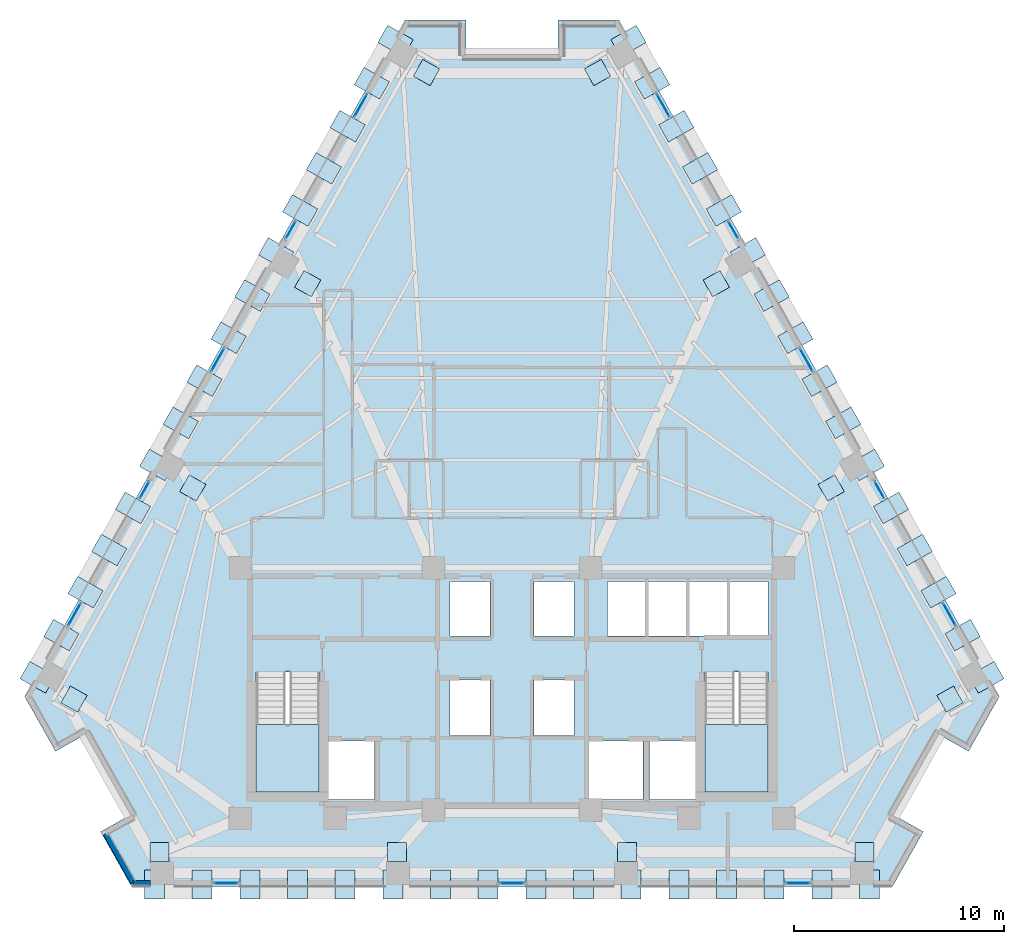
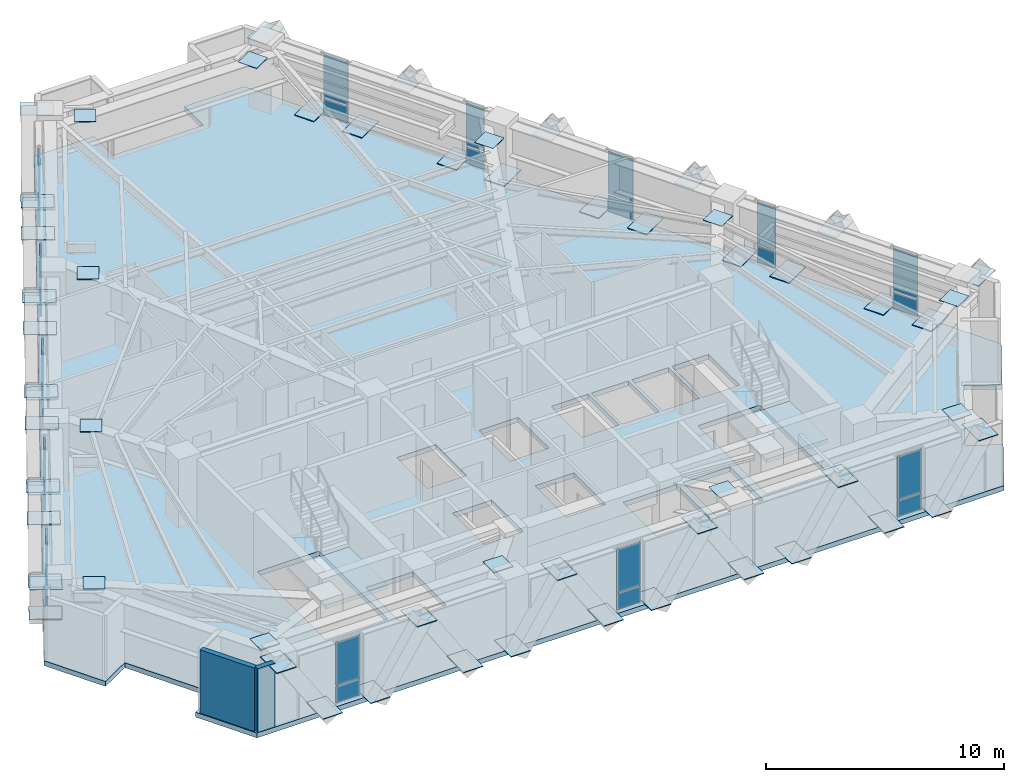
# One storey, part 6 of 13: 86 plates, 3 slabs, 2 walls, 15 elements without a shape of their own.
"""IFC4 building model written with IfcOpenShell, lengths in metres."""

from ifc_helpers import new_model, si_unit, direction, frame, frame_2d, origin, origin_2d, place, context, subcontext, project, spatial, polyline, rectangle, outline, extrude, material, layer, layer_set, type_object, element, aggregate, save


model = new_model("IFC4")

# Units and contexts
model_context = context("Model", 3, precision=1e-05, world=origin(), true_north=direction((0.0, 1.0)))
body_context = subcontext(model_context, "Body", "Model", "MODEL_VIEW")
ifc_project = project(units=[si_unit("LENGTHUNIT", "METRE"), si_unit("AREAUNIT", "SQUARE_METRE"), si_unit("VOLUMEUNIT", "CUBIC_METRE"), si_unit("PLANEANGLEUNIT", "RADIAN"), si_unit("MASSUNIT", "GRAM", prefix="KILO")], contexts=[model_context])

# Site, building, storey
site_placement = place(None, origin())
site = spatial("IfcSite", under=ifc_project, at=site_placement, CompositionType="ELEMENT")
building_placement = place(site_placement, origin())
building = spatial("IfcBuilding", under=site, at=building_placement, Name="Quenlor Broadcast Tower", CompositionType="ELEMENT")
storey_placement = place(building_placement, frame((0.0, 0.0, 126.5)))
storey = spatial("IfcBuildingStorey", under=building, at=storey_placement, Name="L34", CompositionType="ELEMENT", Elevation=126.5)

# Curtain wall, plates
ifc_material_1 = material(Name="Architectural Terracotta and Low-E Glazing", Category="masonry")
curtain_wall_type = type_object("IfcCurtainWallType", Name="Unitised Terracotta Curtain Wall System Z2", PredefinedType="NOTDEFINED", material=ifc_material_1)
curtain_wall_1_placement = place(storey_placement, origin())
curtain_wall_1 = element("IfcCurtainWall", 1, at=curtain_wall_1_placement, inside=storey, type_object=curtain_wall_type, Name="L34 Curtain Wall CW2 (L34-SA-G1)", PredefinedType="NOTDEFINED")
ifc_material_2 = material(Name="Double Glazed Low-E Solar Glass", Category="glass")
ifc_layer_1 = layer(ifc_material_2, 0.030029296875)
ifc_layer_set_1 = layer_set([ifc_layer_1], Name="CW2 Double Glazed Vision Panel 30")
plate_type_1 = type_object("IfcPlateType", Name="CW2 Double Glazed Vision Panel 30", PredefinedType="CURTAIN_PANEL", material=ifc_layer_set_1)
plate_1_placement = place(storey_placement, frame((13.63525390625, -19.840087890625, 0.074951171875), z_axis=(0.0, 0.0, 1.0), x_axis=(-1.0, 0.0, 0.0)))
plate_1 = element("IfcPlate", 2, at=plate_1_placement, type_object=plate_type_1, Name="CW2 panel 1.1", PredefinedType="CURTAIN_PANEL", context=body_context, shape_type="SweptSolid", body=[
    extrude(rectangle(XDim=1.1630859375, YDim=0.030029296875, at=origin_2d()), origin(), (0.0, 0.0, 1.0), 0.83740234375),
])
plate_2_placement = place(storey_placement, frame((13.63525390625, -19.840087890625, 0.987548828125), z_axis=(0.0, 0.0, 1.0), x_axis=(-1.0, 0.0, 0.0)))
plate_2 = element("IfcPlate", 3, at=plate_2_placement, type_object=plate_type_1, Name="CW2 panel 1.2", PredefinedType="CURTAIN_PANEL", context=body_context, shape_type="SweptSolid", body=[
    extrude(rectangle(XDim=1.1630859375, YDim=0.030029296875, at=origin_2d()), origin(), (0.0, 0.0, 1.0), 2.1875),
])
aggregate(curtain_wall_1, [plate_1, plate_2])

curtain_wall_2_placement = place(storey_placement, origin())
curtain_wall_2 = element("IfcCurtainWall", 4, at=curtain_wall_2_placement, inside=storey, type_object=curtain_wall_type, Name="L34 Curtain Wall CW2 (L34-SC-G1)", PredefinedType="NOTDEFINED")
plate_3_placement = place(storey_placement, frame((-13.63525390625, -19.840087890625, 0.074951171875), z_axis=(0.0, 0.0, 1.0), x_axis=(-1.0, 0.0, 0.0)))
plate_3 = element("IfcPlate", 5, at=plate_3_placement, type_object=plate_type_1, Name="CW2 panel 1.1", PredefinedType="CURTAIN_PANEL", context=body_context, shape_type="SweptSolid", body=[
    extrude(rectangle(XDim=1.1630859375, YDim=0.030029296875, at=origin_2d()), origin(), (0.0, 0.0, 1.0), 0.83740234375),
])
plate_4_placement = place(storey_placement, frame((-13.63525390625, -19.840087890625, 0.987548828125), z_axis=(0.0, 0.0, 1.0), x_axis=(-1.0, 0.0, 0.0)))
plate_4 = element("IfcPlate", 6, at=plate_4_placement, type_object=plate_type_1, Name="CW2 panel 1.2", PredefinedType="CURTAIN_PANEL", context=body_context, shape_type="SweptSolid", body=[
    extrude(rectangle(XDim=1.1630859375, YDim=0.030029296875, at=origin_2d()), origin(), (0.0, 0.0, 1.0), 2.1875),
])
aggregate(curtain_wall_2, [plate_3, plate_4])

curtain_wall_3_placement = place(storey_placement, origin())
curtain_wall_3 = element("IfcCurtainWall", 7, at=curtain_wall_3_placement, inside=storey, type_object=curtain_wall_type, Name="L34 Curtain Wall CW2 (L34-S-G1)", PredefinedType="NOTDEFINED")
plate_5_placement = place(storey_placement, frame((0.0, -19.840087890625, 0.074951171875), z_axis=(0.0, 0.0, 1.0), x_axis=(-1.0, 0.0, 0.0)))
plate_5 = element("IfcPlate", 8, at=plate_5_placement, type_object=plate_type_1, Name="CW2 panel 1.1", PredefinedType="CURTAIN_PANEL", context=body_context, shape_type="SweptSolid", body=[
    extrude(rectangle(XDim=1.1630859375, YDim=0.030029296875, at=origin_2d()), origin(), (0.0, 0.0, 1.0), 0.83740234375),
])
plate_6_placement = place(storey_placement, frame((0.0, -19.840087890625, 0.987548828125), z_axis=(0.0, 0.0, 1.0), x_axis=(-1.0, 0.0, 0.0)))
plate_6 = element("IfcPlate", 9, at=plate_6_placement, type_object=plate_type_1, Name="CW2 panel 1.2", PredefinedType="CURTAIN_PANEL", context=body_context, shape_type="SweptSolid", body=[
    extrude(rectangle(XDim=1.1630859375, YDim=0.030029296875, at=origin_2d()), origin(), (0.0, 0.0, 1.0), 2.1875),
])
aggregate(curtain_wall_3, [plate_5, plate_6])

curtain_wall_4_placement = place(storey_placement, origin())
curtain_wall_4 = element("IfcCurtainWall", 10, at=curtain_wall_4_placement, inside=storey, type_object=curtain_wall_type, Name="L34 Curtain Wall CW2 (L34-NEA-G1)", PredefinedType="NOTDEFINED")
plate_7_placement = place(storey_placement, frame((7.209228515625, 17.257080078125, 0.074951171875), z_axis=(0.0, 0.0, 1.0), x_axis=(0.490247320704, -0.871583366376, 0.0)))
plate_7 = element("IfcPlate", 11, at=plate_7_placement, type_object=plate_type_1, Name="CW2 panel 1.1", PredefinedType="CURTAIN_PANEL", context=body_context, shape_type="SweptSolid", body=[
    extrude(rectangle(XDim=1.21435546875, YDim=0.030029296875, at=origin_2d()), origin(), (0.0, 0.0, 1.0), 0.83740234375),
])
plate_8_placement = place(storey_placement, frame((7.209228515625, 17.257080078125, 0.987548828125), z_axis=(0.0, 0.0, 1.0), x_axis=(0.490247320704, -0.871583366376, 0.0)))
plate_8 = element("IfcPlate", 12, at=plate_8_placement, type_object=plate_type_1, Name="CW2 panel 1.2", PredefinedType="CURTAIN_PANEL", context=body_context, shape_type="SweptSolid", body=[
    extrude(rectangle(XDim=1.21435546875, YDim=0.030029296875, at=origin_2d()), origin(), (0.0, 0.0, 1.0), 2.1875),
])
aggregate(curtain_wall_4, [plate_7, plate_8])

curtain_wall_5_placement = place(storey_placement, origin())
curtain_wall_5 = element("IfcCurtainWall", 13, at=curtain_wall_5_placement, inside=storey, type_object=curtain_wall_type, Name="L34 Curtain Wall CW2 (L34-NEA-G2)", PredefinedType="NOTDEFINED")
plate_9_placement = place(storey_placement, frame((10.54736328125, 11.322998046875, 0.074951171875), z_axis=(0.0, 0.0, 1.0), x_axis=(0.490252261371, -0.871580587336, 0.0)))
plate_9 = element("IfcPlate", 14, at=plate_9_placement, type_object=plate_type_1, Name="CW2 panel 1.1", PredefinedType="CURTAIN_PANEL", context=body_context, shape_type="SweptSolid", body=[
    extrude(rectangle(XDim=0.90771484375, YDim=0.030029296875, at=origin_2d()), origin(), (0.0, 0.0, 1.0), 0.83740234375),
])
plate_10_placement = place(storey_placement, frame((10.54736328125, 11.322998046875, 0.987548828125), z_axis=(0.0, 0.0, 1.0), x_axis=(0.490252261371, -0.871580587336, 0.0)))
plate_10 = element("IfcPlate", 15, at=plate_10_placement, type_object=plate_type_1, Name="CW2 panel 1.2", PredefinedType="CURTAIN_PANEL", context=body_context, shape_type="SweptSolid", body=[
    extrude(rectangle(XDim=0.90771484375, YDim=0.030029296875, at=origin_2d()), origin(), (0.0, 0.0, 1.0), 2.1875),
])
aggregate(curtain_wall_5, [plate_9, plate_10])

curtain_wall_6_placement = place(storey_placement, origin())
curtain_wall_6 = element("IfcCurtainWall", 16, at=curtain_wall_6_placement, inside=storey, type_object=curtain_wall_type, Name="L34 Curtain Wall CW2 (L34-NEC-G1)", PredefinedType="NOTDEFINED")
plate_11_placement = place(storey_placement, frame((17.523681640625, -1.079833984375, 0.074951171875), z_axis=(0.0, 0.0, 1.0), x_axis=(0.490252261371, -0.871580587336, 0.0)))
plate_11 = element("IfcPlate", 17, at=plate_11_placement, type_object=plate_type_1, Name="CW2 panel 1.1", PredefinedType="CURTAIN_PANEL", context=body_context, shape_type="SweptSolid", body=[
    extrude(rectangle(XDim=0.90771484375, YDim=0.030029296875, at=origin_2d()), origin(), (0.0, 0.0, 1.0), 0.83740234375),
])
plate_12_placement = place(storey_placement, frame((17.523681640625, -1.079833984375, 0.987548828125), z_axis=(0.0, 0.0, 1.0), x_axis=(0.490252261371, -0.871580587336, 0.0)))
plate_12 = element("IfcPlate", 18, at=plate_12_placement, type_object=plate_type_1, Name="CW2 panel 1.2", PredefinedType="CURTAIN_PANEL", context=body_context, shape_type="SweptSolid", body=[
    extrude(rectangle(XDim=0.90771484375, YDim=0.030029296875, at=origin_2d()), origin(), (0.0, 0.0, 1.0), 2.1875),
])
aggregate(curtain_wall_6, [plate_11, plate_12])

curtain_wall_7_placement = place(storey_placement, origin())
curtain_wall_7 = element("IfcCurtainWall", 19, at=curtain_wall_7_placement, inside=storey, type_object=curtain_wall_type, Name="L34 Curtain Wall CW2 (L34-NEC-G2)", PredefinedType="NOTDEFINED")
plate_13_placement = place(storey_placement, frame((20.861572265625, -7.013916015625, 0.074951171875), z_axis=(0.0, 0.0, 1.0), x_axis=(0.490278639232, -0.871565749621, 0.0)))
plate_13 = element("IfcPlate", 20, at=plate_13_placement, type_object=plate_type_1, Name="CW2 panel 1.1", PredefinedType="CURTAIN_PANEL", context=body_context, shape_type="SweptSolid", body=[
    extrude(rectangle(XDim=1.21435546875, YDim=0.030029296875, at=origin_2d()), origin(), (0.0, 0.0, 1.0), 0.83740234375),
])
plate_14_placement = place(storey_placement, frame((20.861572265625, -7.013916015625, 0.987548828125), z_axis=(0.0, 0.0, 1.0), x_axis=(0.490278639232, -0.871565749621, 0.0)))
plate_14 = element("IfcPlate", 21, at=plate_14_placement, type_object=plate_type_1, Name="CW2 panel 1.2", PredefinedType="CURTAIN_PANEL", context=body_context, shape_type="SweptSolid", body=[
    extrude(rectangle(XDim=1.21435546875, YDim=0.030029296875, at=origin_2d()), origin(), (0.0, 0.0, 1.0), 2.1875),
])
aggregate(curtain_wall_7, [plate_13, plate_14])

curtain_wall_8_placement = place(storey_placement, origin())
curtain_wall_8 = element("IfcCurtainWall", 22, at=curtain_wall_8_placement, inside=storey, type_object=curtain_wall_type, Name="L34 Curtain Wall CW2 (L34-NE-G1)", PredefinedType="NOTDEFINED")
plate_15_placement = place(storey_placement, frame((14.035400390625, 5.12158203125, 0.074951171875), z_axis=(0.0, 0.0, 1.0), x_axis=(0.490254279037, -0.871579452423, 0.0)))
plate_15 = element("IfcPlate", 23, at=plate_15_placement, type_object=plate_type_1, Name="CW2 panel 1.1", PredefinedType="CURTAIN_PANEL", context=body_context, shape_type="SweptSolid", body=[
    extrude(rectangle(XDim=1.214111328125, YDim=0.030029296875, at=origin_2d()), origin(), (0.0, 0.0, 1.0), 0.83740234375),
])
plate_16_placement = place(storey_placement, frame((14.035400390625, 5.12158203125, 0.987548828125), z_axis=(0.0, 0.0, 1.0), x_axis=(0.490254279037, -0.871579452423, 0.0)))
plate_16 = element("IfcPlate", 24, at=plate_16_placement, type_object=plate_type_1, Name="CW2 panel 1.2", PredefinedType="CURTAIN_PANEL", context=body_context, shape_type="SweptSolid", body=[
    extrude(rectangle(XDim=1.214111328125, YDim=0.030029296875, at=origin_2d()), origin(), (0.0, 0.0, 1.0), 2.1875),
])
aggregate(curtain_wall_8, [plate_15, plate_16])

curtain_wall_9_placement = place(storey_placement, origin())
curtain_wall_9 = element("IfcCurtainWall", 25, at=curtain_wall_9_placement, inside=storey, type_object=curtain_wall_type, Name="L34 Curtain Wall CW2 (L34-NWA-G1)", PredefinedType="NOTDEFINED")
plate_17_placement = place(storey_placement, frame((-20.861572265625, -7.013916015625, 0.074951171875), z_axis=(0.0, 0.0, 1.0), x_axis=(0.490278639232, 0.871565749621, 0.0)))
plate_17 = element("IfcPlate", 26, at=plate_17_placement, type_object=plate_type_1, Name="CW2 panel 1.1", PredefinedType="CURTAIN_PANEL", context=body_context, shape_type="SweptSolid", body=[
    extrude(rectangle(XDim=1.21435546875, YDim=0.030029296875, at=origin_2d()), origin(), (0.0, 0.0, 1.0), 0.83740234375),
])
plate_18_placement = place(storey_placement, frame((-20.861572265625, -7.013916015625, 0.987548828125), z_axis=(0.0, 0.0, 1.0), x_axis=(0.490278639232, 0.871565749621, 0.0)))
plate_18 = element("IfcPlate", 27, at=plate_18_placement, type_object=plate_type_1, Name="CW2 panel 1.2", PredefinedType="CURTAIN_PANEL", context=body_context, shape_type="SweptSolid", body=[
    extrude(rectangle(XDim=1.21435546875, YDim=0.030029296875, at=origin_2d()), origin(), (0.0, 0.0, 1.0), 2.1875),
])
aggregate(curtain_wall_9, [plate_17, plate_18])

curtain_wall_10_placement = place(storey_placement, origin())
curtain_wall_10 = element("IfcCurtainWall", 28, at=curtain_wall_10_placement, inside=storey, type_object=curtain_wall_type, Name="L34 Curtain Wall CW2 (L34-NWA-G2)", PredefinedType="NOTDEFINED")
plate_19_placement = place(storey_placement, frame((-17.523681640625, -1.079833984375, 0.074951171875), z_axis=(0.0, 0.0, 1.0), x_axis=(0.490252261371, 0.871580587336, 0.0)))
plate_19 = element("IfcPlate", 29, at=plate_19_placement, type_object=plate_type_1, Name="CW2 panel 1.1", PredefinedType="CURTAIN_PANEL", context=body_context, shape_type="SweptSolid", body=[
    extrude(rectangle(XDim=0.90771484375, YDim=0.030029296875, at=origin_2d()), origin(), (0.0, 0.0, 1.0), 0.83740234375),
])
plate_20_placement = place(storey_placement, frame((-17.523681640625, -1.079833984375, 0.987548828125), z_axis=(0.0, 0.0, 1.0), x_axis=(0.490252261371, 0.871580587336, 0.0)))
plate_20 = element("IfcPlate", 30, at=plate_20_placement, type_object=plate_type_1, Name="CW2 panel 1.2", PredefinedType="CURTAIN_PANEL", context=body_context, shape_type="SweptSolid", body=[
    extrude(rectangle(XDim=0.90771484375, YDim=0.030029296875, at=origin_2d()), origin(), (0.0, 0.0, 1.0), 2.1875),
])
aggregate(curtain_wall_10, [plate_19, plate_20])

curtain_wall_11_placement = place(storey_placement, origin())
curtain_wall_11 = element("IfcCurtainWall", 31, at=curtain_wall_11_placement, inside=storey, type_object=curtain_wall_type, Name="L34 Curtain Wall CW2 (L34-NWC-G1)", PredefinedType="NOTDEFINED")
plate_21_placement = place(storey_placement, frame((-10.54736328125, 11.322998046875, 0.074951171875), z_axis=(0.0, 0.0, 1.0), x_axis=(0.490252261371, 0.871580587336, 0.0)))
plate_21 = element("IfcPlate", 32, at=plate_21_placement, type_object=plate_type_1, Name="CW2 panel 1.1", PredefinedType="CURTAIN_PANEL", context=body_context, shape_type="SweptSolid", body=[
    extrude(rectangle(XDim=0.90771484375, YDim=0.030029296875, at=origin_2d()), origin(), (0.0, 0.0, 1.0), 0.83740234375),
])
plate_22_placement = place(storey_placement, frame((-10.54736328125, 11.322998046875, 0.987548828125), z_axis=(0.0, 0.0, 1.0), x_axis=(0.490252261371, 0.871580587336, 0.0)))
plate_22 = element("IfcPlate", 33, at=plate_22_placement, type_object=plate_type_1, Name="CW2 panel 1.2", PredefinedType="CURTAIN_PANEL", context=body_context, shape_type="SweptSolid", body=[
    extrude(rectangle(XDim=0.90771484375, YDim=0.030029296875, at=origin_2d()), origin(), (0.0, 0.0, 1.0), 2.1875),
])
aggregate(curtain_wall_11, [plate_21, plate_22])

curtain_wall_12_placement = place(storey_placement, origin())
curtain_wall_12 = element("IfcCurtainWall", 34, at=curtain_wall_12_placement, inside=storey, type_object=curtain_wall_type, Name="L34 Curtain Wall CW2 (L34-NWC-G2)", PredefinedType="NOTDEFINED")
plate_23_placement = place(storey_placement, frame((-7.209228515625, 17.257080078125, 0.074951171875), z_axis=(0.0, 0.0, 1.0), x_axis=(0.490247320704, 0.871583366376, 0.0)))
plate_23 = element("IfcPlate", 35, at=plate_23_placement, type_object=plate_type_1, Name="CW2 panel 1.1", PredefinedType="CURTAIN_PANEL", context=body_context, shape_type="SweptSolid", body=[
    extrude(rectangle(XDim=1.21435546875, YDim=0.030029296875, at=origin_2d()), origin(), (0.0, 0.0, 1.0), 0.83740234375),
])
plate_24_placement = place(storey_placement, frame((-7.209228515625, 17.257080078125, 0.987548828125), z_axis=(0.0, 0.0, 1.0), x_axis=(0.490247320704, 0.871583366376, 0.0)))
plate_24 = element("IfcPlate", 36, at=plate_24_placement, type_object=plate_type_1, Name="CW2 panel 1.2", PredefinedType="CURTAIN_PANEL", context=body_context, shape_type="SweptSolid", body=[
    extrude(rectangle(XDim=1.21435546875, YDim=0.030029296875, at=origin_2d()), origin(), (0.0, 0.0, 1.0), 2.1875),
])
aggregate(curtain_wall_12, [plate_23, plate_24])

curtain_wall_13_placement = place(storey_placement, origin())
curtain_wall_13 = element("IfcCurtainWall", 37, at=curtain_wall_13_placement, inside=storey, type_object=curtain_wall_type, Name="L34 Curtain Wall CW2 (L34-NW-G1)", PredefinedType="NOTDEFINED")
plate_25_placement = place(storey_placement, frame((-14.035400390625, 5.12158203125, 0.074951171875), z_axis=(0.0, 0.0, 1.0), x_axis=(0.490254279037, 0.871579452423, 0.0)))
plate_25 = element("IfcPlate", 38, at=plate_25_placement, type_object=plate_type_1, Name="CW2 panel 1.1", PredefinedType="CURTAIN_PANEL", context=body_context, shape_type="SweptSolid", body=[
    extrude(rectangle(XDim=1.214111328125, YDim=0.030029296875, at=origin_2d()), origin(), (0.0, 0.0, 1.0), 0.83740234375),
])
plate_26_placement = place(storey_placement, frame((-14.035400390625, 5.12158203125, 0.987548828125), z_axis=(0.0, 0.0, 1.0), x_axis=(0.490254279037, 0.871579452423, 0.0)))
plate_26 = element("IfcPlate", 39, at=plate_26_placement, type_object=plate_type_1, Name="CW2 panel 1.2", PredefinedType="CURTAIN_PANEL", context=body_context, shape_type="SweptSolid", body=[
    extrude(rectangle(XDim=1.214111328125, YDim=0.030029296875, at=origin_2d()), origin(), (0.0, 0.0, 1.0), 2.1875),
])
aggregate(curtain_wall_13, [plate_25, plate_26])

# Plates
ifc_material_3 = material(Name="Steel S355", Category="steel")
ifc_layer_2 = layer(ifc_material_3, 0.031982421875)
ifc_layer_set_2 = layer_set([ifc_layer_2], Name="Lower Zone Setback Steel S355 Kink Cap Plate 920x920x32")
plate_type_2 = type_object("IfcPlateType", Name="Lower Zone Setback Steel S355 Kink Cap Plate 920x920x32", PredefinedType="USERDEFINED", material=ifc_layer_set_2)
for number, where, z_axis, x_axis, name in (
    (40, (-16.808349609375, -18.35009765625, 3.2177734375), (0.0, 0.0, 1.0), (0.0, 1.0, 0.0), "L34 Setback Kink Plate S1"),
    (41, (-5.48095703125, -18.35009765625, 3.2177734375), (0.0, 0.0, 1.0), (0.0, 1.0, 0.0), "L34 Setback Kink Plate S2"),
    (42, (5.48095703125, -18.35009765625, 3.2177734375), (0.0, 0.0, 1.0), (0.0, 1.0, 0.0), "L34 Setback Kink Plate S3"),
    (43, (16.808349609375, -18.35009765625, 3.2177734375), (0.0, 0.0, 1.0), (0.0, 1.0, 0.0), "L34 Setback Kink Plate S4"),
    (44, (20.8876953125, -11.0595703125, 3.2177734375), (0.0, 0.0, 1.0), (0.871575139605, 0.490261946333, 0.0), "L34 Setback Kink Plate NE1"),
    (45, (15.22412109375, -0.99072265625, 3.2177734375), (0.0, 0.0, 1.0), (0.871575139605, 0.490261946333, 0.0), "L34 Setback Kink Plate NE2"),
    (46, (9.742919921875, 8.75341796875, 3.2177734375), (0.0, 0.0, 1.0), (0.871575139605, 0.490261946333, 0.0), "L34 Setback Kink Plate NE3"),
    (47, (4.079345703125, 18.822021484375, 3.2177734375), (0.0, 0.0, 1.0), (0.871575139605, 0.490261946333, 0.0), "L34 Setback Kink Plate NE4"),
    (48, (-4.079345703125, 18.822021484375, 3.2177734375), (0.0, 0.0, 1.0), (-0.871575139605, 0.490261946333, 0.0), "L34 Setback Kink Plate NW1"),
    (49, (-9.742919921875, 8.75341796875, 3.2177734375), (0.0, 0.0, 1.0), (-0.871575139605, 0.490261946333, 0.0), "L34 Setback Kink Plate NW2"),
    (50, (-15.22412109375, -0.99072265625, 3.2177734375), (0.0, 0.0, 1.0), (-0.871575139605, 0.490261946333, 0.0), "L34 Setback Kink Plate NW3"),
    (51, (-20.8876953125, -11.0595703125, 3.2177734375), (0.0, 0.0, 1.0), (-0.871575139605, 0.490261946333, 0.0), "L34 Setback Kink Plate NW4"),
):
    element("IfcPlate", number, at=place(storey_placement, frame(where, z_axis=z_axis, x_axis=x_axis)), inside=storey, type_object=plate_type_2, Name=name, ObjectType="CAP PLATE", PredefinedType="USERDEFINED", context=body_context, shape_type="SweptSolid", body=[
        extrude(rectangle(XDim=0.919921875, YDim=0.919921875, at=origin_2d()), origin(), (0.0, 0.0, 1.0), 0.031982421875),
    ])

# Stair, slab
ifc_material_4 = material(Name="Precast concrete C40/50", Category="concrete")
stair_type = type_object("IfcStairType", Name="Precast Concrete C40/50 Dogleg Stair H350", PredefinedType="HALF_TURN_STAIR", material=ifc_material_4)
stair_1_placement = place(storey_placement, origin())
stair_1 = element("IfcStair", 52, at=stair_1_placement, inside=storey, type_object=stair_type, Name="L34 West Core Fire-Isolated Exit Stair ST-1", PredefinedType="HALF_TURN_STAIR")
ifc_material_5 = material(Name="Precast concrete C40/50", Category="concrete")
ifc_layer_3 = layer(ifc_material_5, 0.199951171875)
ifc_layer_set_3 = layer_set([ifc_layer_3], Name="Precast Concrete C40/50 Stair Landing Slab 200")
slab_type_1 = type_object("IfcSlabType", Name="Precast Concrete C40/50 Stair Landing Slab 200", PredefinedType="LANDING", material=ifc_layer_set_3)
slab_1_placement = place(storey_placement, frame((0.0, 0.0, 1.550048828125)))
slab_1 = element("IfcSlab", 53, at=slab_1_placement, type_object=slab_type_1, Name="ST-1 landing 1", PredefinedType="LANDING", context=body_context, shape_type="SweptSolid", body=[
    extrude(outline(polyline([(-12.199951171875, -12.27001953125), (-12.199951171875, -15.5), (-9.199951171875, -15.5), (-9.199951171875, -12.27001953125), (-12.199951171875, -12.27001953125)])), origin(), (0.0, 0.0, 1.0), 0.199951171875),
])
aggregate(stair_1, [slab_1])

stair_2_placement = place(storey_placement, origin())
stair_2 = element("IfcStair", 54, at=stair_2_placement, inside=storey, type_object=stair_type, Name="L34 East Core Fire-Isolated Exit Stair ST-2", PredefinedType="HALF_TURN_STAIR")
slab_2_placement = place(storey_placement, frame((0.0, 0.0, 1.550048828125)))
slab_2 = element("IfcSlab", 55, at=slab_2_placement, type_object=slab_type_1, Name="ST-2 landing 1", PredefinedType="LANDING", context=body_context, shape_type="SweptSolid", body=[
    extrude(outline(polyline([(9.199951171875, -12.27001953125), (9.199951171875, -15.5), (12.199951171875, -15.5), (12.199951171875, -12.27001953125), (9.199951171875, -12.27001953125)])), origin(), (0.0, 0.0, 1.0), 0.199951171875),
])
aggregate(stair_2, [slab_2])

# Slab
ifc_material_6 = material(Name="Concrete C40/50", Category="concrete")
ifc_layer_4 = layer(ifc_material_6, 0.25)
ifc_layer_set_4 = layer_set([ifc_layer_4], Name="Tower Composite Concrete C40/50 Slab 250")
slab_type_2 = type_object("IfcSlabType", Name="Tower Composite Concrete C40/50 Slab 250", PredefinedType="FLOOR", material=ifc_layer_set_4)
slab_3_placement = place(storey_placement, frame((0.0, 0.0, -0.25)))
element("IfcSlab", 56, at=slab_3_placement, inside=storey, type_object=slab_type_2, Name="L34 Structural Floor Slab", PredefinedType="FLOOR", context=body_context, shape_type="SweptSolid", body=[
    extrude(outline(polyline([(18.14404296875, -20.0), (19.616943359375, -17.381591796875), (18.222412109375, -16.596923828125), (20.379638671875, -12.76220703125), (21.774169921875, -13.54638671875), (23.2470703125, -10.927978515625), (5.10302734375, 21.327880859375), (2.199951171875, 21.327880859375), (2.199951171875, 19.72802734375), (-2.199951171875, 19.72802734375), (-2.199951171875, 21.327880859375), (-5.10302734375, 21.327880859375), (-23.2470703125, -10.927978515625), (-21.774169921875, -13.54638671875), (-20.379638671875, -12.76220703125), (-18.222412109375, -16.596923828125), (-19.616943359375, -17.381591796875), (-18.14404296875, -20.0), (18.14404296875, -20.0)]), holes=[polyline([(-12.199951171875, -9.758056640625), (-12.199951171875, -15.5), (-9.199951171875, -15.5), (-9.199951171875, -9.758056640625), (-12.199951171875, -9.758056640625)]), polyline([(9.199951171875, -9.758056640625), (9.199951171875, -15.5), (12.199951171875, -15.5), (12.199951171875, -9.758056640625), (9.199951171875, -9.758056640625)]), polyline([(-2.949951171875, -8.050048828125), (-1.050048828125, -8.050048828125), (-1.050048828125, -5.449951171875), (-2.949951171875, -5.449951171875), (-2.949951171875, -8.050048828125)]), polyline([(1.050048828125, -8.050048828125), (2.949951171875, -8.050048828125), (2.949951171875, -5.449951171875), (1.050048828125, -5.449951171875), (1.050048828125, -8.050048828125)]), polyline([(-2.949951171875, -12.800048828125), (-1.050048828125, -12.800048828125), (-1.050048828125, -10.14990234375), (-2.949951171875, -10.14990234375), (-2.949951171875, -12.800048828125)]), polyline([(1.050048828125, -12.800048828125), (2.949951171875, -12.800048828125), (2.949951171875, -10.14990234375), (1.050048828125, -10.14990234375), (1.050048828125, -12.800048828125)]), polyline([(4.550048828125, -8.050048828125), (6.35009765625, -8.050048828125), (6.35009765625, -5.449951171875), (4.550048828125, -5.449951171875), (4.550048828125, -8.050048828125)]), polyline([(6.5, -8.050048828125), (8.300048828125, -8.050048828125), (8.300048828125, -5.449951171875), (6.5, -5.449951171875), (6.5, -8.050048828125)]), polyline([(8.449951171875, -8.050048828125), (10.25, -8.050048828125), (10.25, -5.449951171875), (8.449951171875, -5.449951171875), (8.449951171875, -8.050048828125)]), polyline([(10.39990234375, -8.050048828125), (12.199951171875, -8.050048828125), (12.199951171875, -5.449951171875), (10.39990234375, -5.449951171875), (10.39990234375, -8.050048828125)]), polyline([(-8.85009765625, -15.85009765625), (-6.550048828125, -15.85009765625), (-6.550048828125, -13.050048828125), (-8.85009765625, -13.050048828125), (-8.85009765625, -15.85009765625)]), polyline([(6.550048828125, -15.85009765625), (8.85009765625, -15.85009765625), (8.85009765625, -13.050048828125), (6.550048828125, -13.050048828125), (6.550048828125, -15.85009765625)]), polyline([(3.64990234375, -15.85009765625), (6.25, -15.85009765625), (6.25, -13.050048828125), (3.64990234375, -13.050048828125), (3.64990234375, -15.85009765625)])]), origin(), (0.0, 0.0, 1.0), 0.25),
])

# Plates
ifc_material_7 = material(Name="Steel S355", Category="steel")
ifc_layer_5 = layer(ifc_material_7, 0.035888671875)
ifc_layer_set_5 = layer_set([ifc_layer_5], Name="Transfer Truss Steel S355 Gusset Node Plate 1400x950x36")
plate_type_3 = type_object("IfcPlateType", Name="Transfer Truss Steel S355 Gusset Node Plate 1400x950x36", PredefinedType="SHEET", material=ifc_layer_set_5)
for number, where, z_axis, x_axis, name in (
    (57, (12.4853515625, -19.89990234375, 0.0419921875), (0.0, 0.0, 1.0), (0.0, -1.0, 0.0), "L34 Lattice Tie Gusset Node S-B2"),
    (58, (10.226318359375, -19.89990234375, 3.18212890625), (0.0, 0.0, 1.0), (0.0, -1.0, 0.0), "L34 Lattice Tie Gusset Node S-T3"),
    (59, (14.78515625, -19.89990234375, 0.0419921875), (0.0, 0.0, 1.0), (0.0, -1.0, 0.0), "L34 Lattice Tie Gusset Node S-B1"),
    (60, (17.0439453125, -19.89990234375, 3.18212890625), (0.0, 0.0, 1.0), (0.0, -1.0, 0.0), "L34 Lattice Tie Gusset Node S-T0"),
    (61, (5.667724609375, -19.89990234375, 0.0419921875), (0.0, 0.0, 1.0), (0.0, -1.0, 0.0), "L34 Lattice Tie Gusset Node S-B5"),
    (62, (3.40869140625, -19.89990234375, 3.18212890625), (0.0, 0.0, 1.0), (0.0, -1.0, 0.0), "L34 Lattice Tie Gusset Node S-T6"),
    (63, (7.967529296875, -19.89990234375, 0.0419921875), (0.0, 0.0, 1.0), (0.0, -1.0, 0.0), "L34 Lattice Tie Gusset Node S-B4"),
    (64, (-1.14990234375, -19.89990234375, 0.0419921875), (0.0, 0.0, 1.0), (0.0, -1.0, 0.0), "L34 Lattice Tie Gusset Node S-B8"),
    (65, (-3.40869140625, -19.89990234375, 3.18212890625), (0.0, 0.0, 1.0), (0.0, -1.0, 0.0), "L34 Lattice Tie Gusset Node S-T9"),
    (66, (1.14990234375, -19.89990234375, 0.0419921875), (0.0, 0.0, 1.0), (0.0, -1.0, 0.0), "L34 Lattice Tie Gusset Node S-B7"),
    (67, (-7.967529296875, -19.89990234375, 0.0419921875), (0.0, 0.0, 1.0), (0.0, -1.0, 0.0), "L34 Lattice Tie Gusset Node S-B11"),
    (68, (-10.226318359375, -19.89990234375, 3.18212890625), (0.0, 0.0, 1.0), (0.0, -1.0, 0.0), "L34 Lattice Tie Gusset Node S-T12"),
    (69, (-5.667724609375, -19.89990234375, 0.0419921875), (0.0, 0.0, 1.0), (0.0, -1.0, 0.0), "L34 Lattice Tie Gusset Node S-B10"),
    (70, (-14.78515625, -19.89990234375, 0.0419921875), (0.0, 0.0, 1.0), (0.0, -1.0, 0.0), "L34 Lattice Tie Gusset Node S-B14"),
    (71, (-17.0439453125, -19.89990234375, 3.18212890625), (0.0, 0.0, 1.0), (0.0, -1.0, 0.0), "L34 Lattice Tie Gusset Node S-T15"),
    (72, (-12.4853515625, -19.89990234375, 0.0419921875), (0.0, 0.0, 1.0), (0.0, -1.0, 0.0), "L34 Lattice Tie Gusset Node S-B13"),
    (73, (7.83740234375, 16.262939453125, 0.0419921875), (0.0, 0.0, 1.0), (0.871556314255, 0.490295412055, 0.0), "L34 Lattice Tie Gusset Node NE-B2"),
    (74, (8.96826171875, 14.252685546875, 3.18212890625), (0.0, 0.0, 1.0), (0.871556314255, 0.490295412055, 0.0), "L34 Lattice Tie Gusset Node NE-T3"),
    (75, (6.68603515625, 18.309814453125, 0.0419921875), (0.0, 0.0, 1.0), (0.871556314255, 0.490295412055, 0.0), "L34 Lattice Tie Gusset Node NE-B1"),
    (76, (5.55517578125, 20.3203125, 3.18212890625), (0.0, 0.0, 1.0), (0.871556314255, 0.490295412055, 0.0), "L34 Lattice Tie Gusset Node NE-T0"),
    (77, (11.25048828125, 10.1953125, 0.0419921875), (0.0, 0.0, 1.0), (0.871556314255, 0.490295412055, 0.0), "L34 Lattice Tie Gusset Node NE-B5"),
    (78, (12.38134765625, 8.184814453125, 3.18212890625), (0.0, 0.0, 1.0), (0.871556314255, 0.490295412055, 0.0), "L34 Lattice Tie Gusset Node NE-T6"),
    (79, (10.09912109375, 12.2421875, 0.0419921875), (0.0, 0.0, 1.0), (0.871556314255, 0.490295412055, 0.0), "L34 Lattice Tie Gusset Node NE-B4"),
    (80, (14.66357421875, 4.127685546875, 0.0419921875), (0.0, 0.0, 1.0), (0.871556314255, 0.490295412055, 0.0), "L34 Lattice Tie Gusset Node NE-B8"),
    (81, (15.794189453125, 2.1171875, 3.18212890625), (0.0, 0.0, 1.0), (0.871556314255, 0.490295412055, 0.0), "L34 Lattice Tie Gusset Node NE-T9"),
    (82, (13.51220703125, 6.17431640625, 0.0419921875), (0.0, 0.0, 1.0), (0.871556314255, 0.490295412055, 0.0), "L34 Lattice Tie Gusset Node NE-B7"),
    (83, (18.07666015625, -1.940185546875, 0.0419921875), (0.0, 0.0, 1.0), (0.871556314255, 0.490295412055, 0.0), "L34 Lattice Tie Gusset Node NE-B11"),
    (84, (19.20751953125, -3.950439453125, 3.18212890625), (0.0, 0.0, 1.0), (0.871556314255, 0.490295412055, 0.0), "L34 Lattice Tie Gusset Node NE-T12"),
    (85, (16.92529296875, 0.106689453125, 0.0419921875), (0.0, 0.0, 1.0), (0.871556314255, 0.490295412055, 0.0), "L34 Lattice Tie Gusset Node NE-B10"),
    (86, (21.489501953125, -8.0078125, 0.0419921875), (0.0, 0.0, 1.0), (0.871556314255, 0.490295412055, 0.0), "L34 Lattice Tie Gusset Node NE-B14"),
    (87, (22.62060546875, -10.018310546875, 3.18212890625), (0.0, 0.0, 1.0), (0.871556314255, 0.490295412055, 0.0), "L34 Lattice Tie Gusset Node NE-T15"),
    (88, (20.33837890625, -5.9609375, 0.0419921875), (0.0, 0.0, 1.0), (0.871556314255, 0.490295412055, 0.0), "L34 Lattice Tie Gusset Node NE-B13"),
    (89, (-20.33837890625, -5.9609375, 0.0419921875), (0.0, 0.0, 1.0), (-0.871556314255, 0.490295412055, 0.0), "L34 Lattice Tie Gusset Node NW-B2"),
    (90, (-19.20751953125, -3.950439453125, 3.18212890625), (0.0, 0.0, 1.0), (-0.871556314255, 0.490295412055, 0.0), "L34 Lattice Tie Gusset Node NW-T3"),
    (91, (-21.489501953125, -8.0078125, 0.0419921875), (0.0, 0.0, 1.0), (-0.871556314255, 0.490295412055, 0.0), "L34 Lattice Tie Gusset Node NW-B1"),
    (92, (-22.62060546875, -10.018310546875, 3.18212890625), (0.0, 0.0, 1.0), (-0.871556314255, 0.490295412055, 0.0), "L34 Lattice Tie Gusset Node NW-T0"),
    (93, (-16.92529296875, 0.106689453125, 0.0419921875), (0.0, 0.0, 1.0), (-0.871556314255, 0.490295412055, 0.0), "L34 Lattice Tie Gusset Node NW-B5"),
    (94, (-15.794189453125, 2.1171875, 3.18212890625), (0.0, 0.0, 1.0), (-0.871556314255, 0.490295412055, 0.0), "L34 Lattice Tie Gusset Node NW-T6"),
    (95, (-18.07666015625, -1.940185546875, 0.0419921875), (0.0, 0.0, 1.0), (-0.871556314255, 0.490295412055, 0.0), "L34 Lattice Tie Gusset Node NW-B4"),
    (96, (-13.51220703125, 6.17431640625, 0.0419921875), (0.0, 0.0, 1.0), (-0.871556314255, 0.490295412055, 0.0), "L34 Lattice Tie Gusset Node NW-B8"),
    (97, (-12.38134765625, 8.184814453125, 3.18212890625), (0.0, 0.0, 1.0), (-0.871556314255, 0.490295412055, 0.0), "L34 Lattice Tie Gusset Node NW-T9"),
    (98, (-14.66357421875, 4.127685546875, 0.0419921875), (0.0, 0.0, 1.0), (-0.871556314255, 0.490295412055, 0.0), "L34 Lattice Tie Gusset Node NW-B7"),
    (99, (-10.09912109375, 12.2421875, 0.0419921875), (0.0, 0.0, 1.0), (-0.871556314255, 0.490295412055, 0.0), "L34 Lattice Tie Gusset Node NW-B11"),
    (100, (-8.96826171875, 14.252685546875, 3.18212890625), (0.0, 0.0, 1.0), (-0.871556314255, 0.490295412055, 0.0), "L34 Lattice Tie Gusset Node NW-T12"),
    (101, (-11.25048828125, 10.1953125, 0.0419921875), (0.0, 0.0, 1.0), (-0.871556314255, 0.490295412055, 0.0), "L34 Lattice Tie Gusset Node NW-B10"),
    (102, (-6.68603515625, 18.309814453125, 0.0419921875), (0.0, 0.0, 1.0), (-0.871556314255, 0.490295412055, 0.0), "L34 Lattice Tie Gusset Node NW-B14"),
    (103, (-5.55517578125, 20.3203125, 3.18212890625), (0.0, 0.0, 1.0), (-0.871556314255, 0.490295412055, 0.0), "L34 Lattice Tie Gusset Node NW-T15"),
    (104, (-7.83740234375, 16.262939453125, 0.0419921875), (0.0, 0.0, 1.0), (-0.871556314255, 0.490295412055, 0.0), "L34 Lattice Tie Gusset Node NW-B13"),
):
    element("IfcPlate", number, at=place(storey_placement, frame(where, z_axis=z_axis, x_axis=x_axis)), inside=storey, type_object=plate_type_3, Name=name, PredefinedType="SHEET", context=body_context, shape_type="SweptSolid", body=[
        extrude(rectangle(XDim=1.39990234375, YDim=0.949951171875, at=origin_2d()), origin(), (0.0, 0.0, 1.0), 0.035888671875),
    ])

# Walls
ifc_material_8 = material(Name="Precast concrete C40/50", Category="concrete")
ifc_layer_6 = layer(ifc_material_8, 0.239990234375)
ifc_layer_set_6 = layer_set([ifc_layer_6], Name="Terrace Threshold Precast Concrete C40/50 Wall 240")
wall_type = type_object("IfcWallType", Name="Terrace Threshold Precast Concrete C40/50 Wall 240", PredefinedType="STANDARD", material=ifc_layer_set_6)
wall_1_placement = place(storey_placement, frame((-17.24755859375, -19.840087890625, 0.0), z_axis=(0.0, 0.0, 1.0), x_axis=(-1.0, 0.0, 0.0)))
element("IfcWall", 105, at=wall_1_placement, inside=storey, type_object=wall_type, Name="L34 Exterior Wall L34-SHD-SS1", PredefinedType="STANDARD", context=body_context, shape_type="SweptSolid", body=[
    extrude(rectangle(XDim=0.83642578125, YDim=0.239990234375, at=frame_2d((0.418212890625, 0.0))), origin(), (0.0, 0.0, 1.0), 3.25),
])
wall_2_placement = place(storey_placement, frame((-19.37939453125, -17.477294921875, 0.0), z_axis=(0.0, 0.0, 1.0), x_axis=(0.49023085981, -0.871592625078, 0.0)))
element("IfcWall", 106, at=wall_2_placement, inside=storey, type_object=wall_type, Name="L34 Exterior Wall L34-CNR-16", PredefinedType="STANDARD", context=body_context, shape_type="SweptSolid", body=[
    extrude(rectangle(XDim=2.6708984375, YDim=0.239990234375, at=frame_2d((1.33544921875, 0.0))), origin(), (0.0, 0.0, 1.0), 3.25),
])

save(model, "model.ifc")
